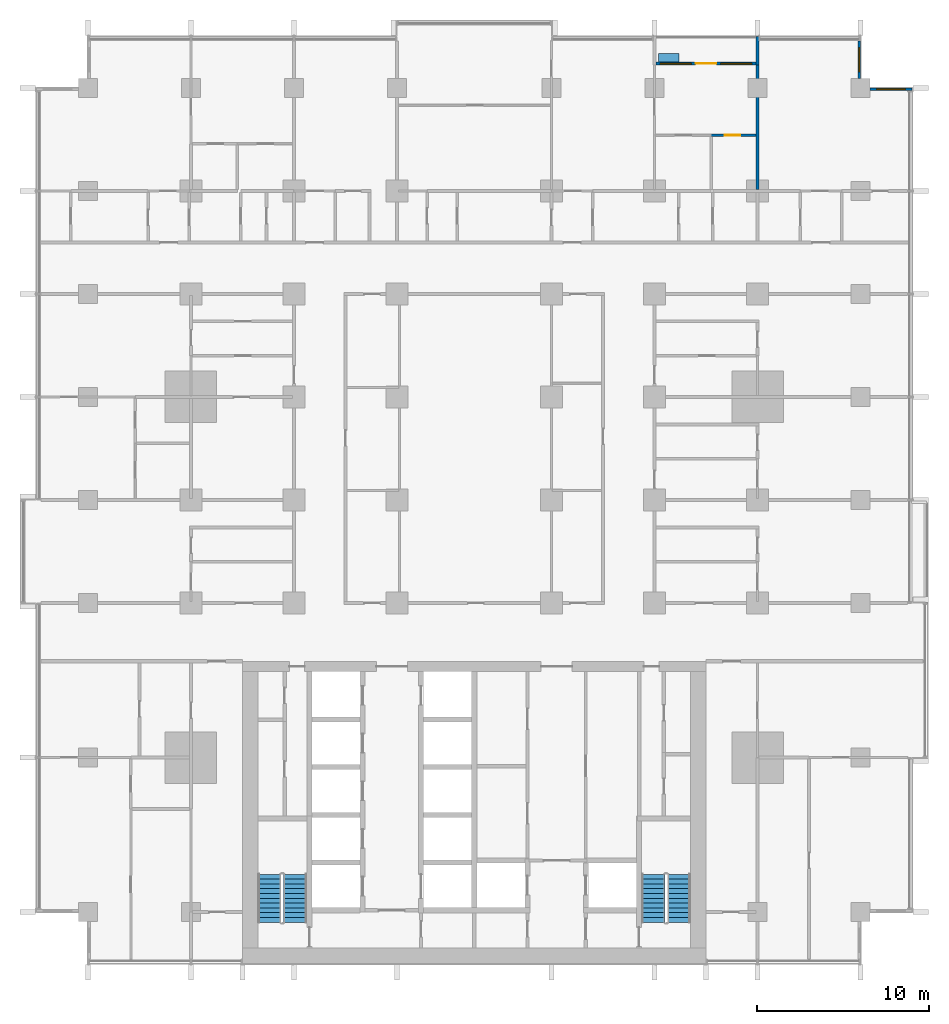
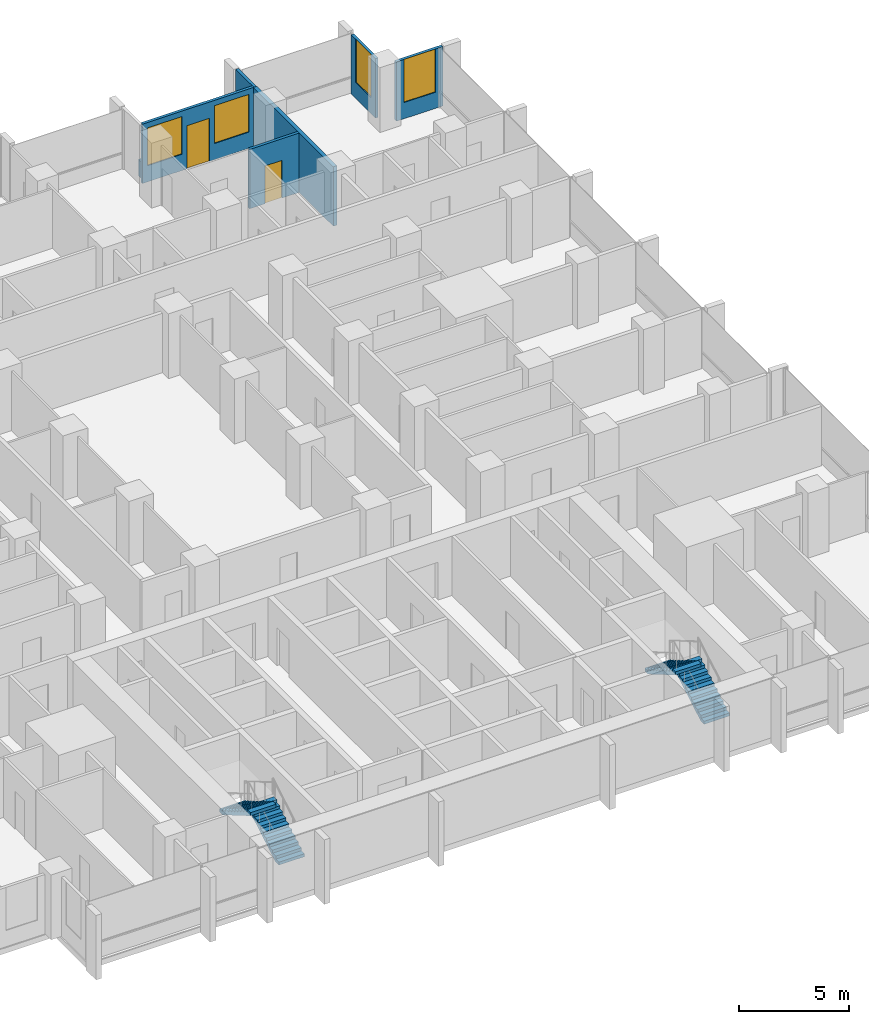
# One storey, part 13 of 18: 7 walls, 4 stair flights, 4 windows, 2 doors, 6 openings, 2 elements without a shape of their own.
"""IFC4 building model written with IfcOpenShell, lengths in metres."""

from ifc_helpers import new_model, si_unit, direction, frame, frame_2d, origin, place, context, subcontext, project, spatial, polyline, rectangle, outline, extrude, material, layer, layer_set, type_object, element, fill, aggregate, save


model = new_model("IFC4")

# Units and contexts
model_context = context("Model", 3, precision=1e-05, world=origin(), true_north=direction((0.0, 1.0)))
body_context = subcontext(model_context, "Body", "Model", "MODEL_VIEW")
ifc_project = project(units=[si_unit("LENGTHUNIT", "METRE"), si_unit("AREAUNIT", "SQUARE_METRE"), si_unit("VOLUMEUNIT", "CUBIC_METRE"), si_unit("PLANEANGLEUNIT", "RADIAN"), si_unit("MASSUNIT", "GRAM", prefix="KILO")], contexts=[model_context])

# Site, building, storey
site_placement = place(None, origin())
site = spatial("IfcSite", under=ifc_project, at=site_placement, CompositionType="ELEMENT")
building_placement = place(site_placement, origin())
building = spatial("IfcBuilding", under=site, at=building_placement, Name="Finial Court Residences", CompositionType="ELEMENT")
storey_placement = place(building_placement, frame((0.0, 0.0, 46.89990234375)))
storey = spatial("IfcBuildingStorey", under=building, at=storey_placement, Name="L10", CompositionType="ELEMENT", Elevation=46.89990234375)

# Wall
ifc_material_1 = material(Name="Gypsum board")
ifc_layer_1 = layer(ifc_material_1, 0.02490234375)
ifc_material_2 = material(Name="Acoustic mineral wool in double frame")
ifc_layer_2 = layer(ifc_material_2, 0.14990234375)
ifc_layer_3 = layer(ifc_material_1, 0.02490234375)
ifc_layer_set_1 = layer_set([ifc_layer_1, ifc_layer_2, ifc_layer_3], Name="Acoustic party wall 200, 1 hour")
wall_type_1 = type_object("IfcWallType", Name="Acoustic party wall 200, 1 hour", PredefinedType="PARTITIONING", material=ifc_layer_set_1)
wall_1_placement = place(storey_placement, frame((16.5, 19.574951171875, 0.0), z_axis=(0.0, 0.0, 1.0), x_axis=(0.0, 1.0, 0.0)))
element("IfcWall", 1, at=wall_1_placement, inside=storey, type_object=wall_type_1, Name="Partition L10-101", PredefinedType="PARTITIONING", context=body_context, shape_type="SweptSolid", body=[
    extrude(rectangle(XDim=7.275146484375, YDim=0.199951171875, at=frame_2d((3.6376953125, 0.0))), origin(), (0.0, 0.0, 1.0), 3.300048828125),
])

# Wall, opening, door
ifc_material_3 = material(Name="Moisture-resistant gypsum board")
ifc_layer_4 = layer(ifc_material_3, 0.012451171875)
ifc_material_4 = material(Name="Mineral wool in light-gauge frame")
ifc_layer_5 = layer(ifc_material_4, 0.125)
ifc_layer_6 = layer(ifc_material_3, 0.012451171875)
ifc_layer_set_2 = layer_set([ifc_layer_4, ifc_layer_5, ifc_layer_6], Name="Gypsum board wet-area partition 150")
wall_type_2 = type_object("IfcWallType", Name="Gypsum board wet-area partition 150", PredefinedType="PARTITIONING", material=ifc_layer_set_2)
wall_2_placement = place(storey_placement, frame((13.800048828125, 22.75, 0.0), z_axis=(0.0, 0.0, 1.0), x_axis=(1.0, 0.0, 0.0)))
wall_2 = element("IfcWall", 2, at=wall_2_placement, inside=storey, type_object=wall_type_2, Name="Partition L10-053", PredefinedType="PARTITIONING", context=body_context, shape_type="SweptSolid", body=[
    extrude(rectangle(XDim=2.599853515625, YDim=0.14990234375, at=frame_2d((1.2998046875, 0.0))), origin(), (0.0, 0.0, 1.0), 3.300048828125),
])
opening_1_placement = place(wall_2_placement, frame((0.800048828125, 0.0, 0.0)))
opening_1 = element("IfcOpeningElement", 3, at=opening_1_placement, cuts=wall_2, Name="Opening L10-D032", PredefinedType="OPENING", context=body_context, shape_type="SweptSolid", body=[
    extrude(rectangle(XDim=0.89990234375, YDim=2.10009765625, at=frame_2d((0.449951171875, 1.050048828125))), frame((0.0, 0.0849609375, 0.0), z_axis=(0.0, -1.0, 0.0), x_axis=(1.0, 0.0, 0.0)), (0.0, 0.0, 1.0), 0.169921875),
])
ifc_material_5 = material(Name="Timber door leaf in timber frame", Category="wood")
door_type_1 = type_object("IfcDoorType", Name="Door set 900 x 2100", OperationType="SINGLE_SWING_LEFT", PredefinedType="DOOR", material=ifc_material_5)
door_1_placement = place(opening_1_placement, origin())
door_1 = element("IfcDoor", 4, at=door_1_placement, inside=storey, type_object=door_type_1, Name="Door L10-D032", OperationType="SINGLE_SWING_RIGHT", OverallHeight=2.10009765625, OverallWidth=0.89990234375, PredefinedType="DOOR", context=body_context, shape_type="SweptSolid", body=[
    extrude(rectangle(XDim=0.89990234375, YDim=2.10009765625, at=frame_2d((0.449951171875, 1.050048828125))), frame((0.0, 0.02490234375, 0.0), z_axis=(0.0, -1.0, 0.0), x_axis=(1.0, 0.0, 0.0)), (0.0, 0.0, 1.0), 0.050048828125),
])
fill(opening_1, door_1)

# Wall, opening, window
ifc_material_6 = material(Name="Natural limestone", Category="masonry")
ifc_layer_7 = layer(ifc_material_6, 0.14990234375)
ifc_layer_set_3 = layer_set([ifc_layer_7], Name="Limestone clad wall 150")
wall_type_3 = type_object("IfcWallType", Name="Limestone clad wall 150", PredefinedType="SOLIDWALL", material=ifc_layer_set_3)
wall_3_placement = place(storey_placement, frame((22.425048828125, 28.25, 0.0), z_axis=(0.0, 0.0, 1.0), x_axis=(0.0, -1.0, 0.0)))
wall_3 = element("IfcWall", 5, at=wall_3_placement, inside=storey, type_object=wall_type_3, Name="E-L10-NWE19", PredefinedType="SOLIDWALL", context=body_context, shape_type="SweptSolid", body=[
    extrude(rectangle(XDim=2.199951171875, YDim=0.14990234375, at=frame_2d((1.10009765625, 0.0))), origin(), (0.0, 0.0, 1.0), 3.300048828125),
])
opening_2_placement = place(wall_3_placement, frame((0.39990234375, 0.0, 0.89990234375)))
opening_2 = element("IfcOpeningElement", 6, at=opening_2_placement, cuts=wall_3, Name="Opening WE10-07", PredefinedType="OPENING", context=body_context, shape_type="SweptSolid", body=[
    extrude(rectangle(XDim=1.39990234375, YDim=2.39990234375, at=frame_2d((0.699951171875, 1.199951171875))), frame((0.0, 0.0849609375, 0.0), z_axis=(0.0, -1.0, 0.0), x_axis=(1.0, 0.0, 0.0)), (0.0, 0.0, 1.0), 0.169921875),
])
ifc_material_7 = material(Name="Clear low-e glass", Category="glass")
window_type_1 = type_object("IfcWindowType", Name="Corner window 1400 x 2400", PartitioningType="SINGLE_PANEL", PredefinedType="WINDOW", material=ifc_material_7)
window_1_placement = place(opening_2_placement, origin())
window_1 = element("IfcWindow", 7, at=window_1_placement, inside=storey, type_object=window_type_1, Name="E-L10-NWE19-W1", OverallHeight=2.39990234375, OverallWidth=1.39990234375, PartitioningType="SINGLE_PANEL", PredefinedType="WINDOW", context=body_context, shape_type="SweptSolid", body=[
    extrude(rectangle(XDim=1.39990234375, YDim=2.39990234375, at=frame_2d((0.699951171875, 1.199951171875))), frame((0.0, 0.030029296875, 0.0), z_axis=(0.0, -1.0, 0.0), x_axis=(1.0, 0.0, 0.0)), (0.0, 0.0, 1.0), 0.06005859375),
])
fill(opening_2, window_1)

wall_4_placement = place(storey_placement, frame((23.050048828125, 25.425048828125, 0.0), z_axis=(0.0, 0.0, 1.0), x_axis=(1.0, 0.0, 0.0)))
wall_4 = element("IfcWall", 8, at=wall_4_placement, inside=storey, type_object=wall_type_3, Name="E-L10-NWN20", PredefinedType="SOLIDWALL", context=body_context, shape_type="SweptSolid", body=[
    extrude(rectangle(XDim=2.449951171875, YDim=0.14990234375, at=frame_2d((1.22509765625, 0.0))), origin(), (0.0, 0.0, 1.0), 3.300048828125),
])
opening_3_placement = place(wall_4_placement, frame((0.39990234375, 0.0, 0.89990234375)))
opening_3 = element("IfcOpeningElement", 9, at=opening_3_placement, cuts=wall_4, Name="Opening WE10-08", PredefinedType="OPENING", context=body_context, shape_type="SweptSolid", body=[
    extrude(rectangle(XDim=1.64990234375, YDim=2.39990234375, at=frame_2d((0.824951171875, 1.199951171875))), frame((0.0, 0.0849609375, 0.0), z_axis=(0.0, -1.0, 0.0), x_axis=(1.0, 0.0, 0.0)), (0.0, 0.0, 1.0), 0.169921875),
])
window_type_2 = type_object("IfcWindowType", Name="Corner window 1650 x 2400", PartitioningType="SINGLE_PANEL", PredefinedType="WINDOW", material=ifc_material_7)
window_2_placement = place(opening_3_placement, origin())
window_2 = element("IfcWindow", 10, at=window_2_placement, inside=storey, type_object=window_type_2, Name="E-L10-NWN20-W1", OverallHeight=2.39990234375, OverallWidth=1.64990234375, PartitioningType="SINGLE_PANEL", PredefinedType="WINDOW", context=body_context, shape_type="SweptSolid", body=[
    extrude(rectangle(XDim=1.64990234375, YDim=2.39990234375, at=frame_2d((0.824951171875, 1.199951171875))), frame((0.0, 0.030029296875, 0.0), z_axis=(0.0, -1.0, 0.0), x_axis=(1.0, 0.0, 0.0)), (0.0, 0.0, 1.0), 0.06005859375),
])
fill(opening_3, window_2)

# Wall
wall_5_placement = place(storey_placement, frame((16.5, 26.85009765625, 0.0), z_axis=(0.0, 0.0, 1.0), x_axis=(0.0, 1.0, 0.0)))
element("IfcWall", 11, at=wall_5_placement, inside=storey, type_object=wall_type_3, Name="E-L10-BALN6-P2", PredefinedType="SOLIDWALL", context=body_context, shape_type="SweptSolid", body=[
    extrude(rectangle(XDim=1.64990234375, YDim=0.14990234375, at=frame_2d((0.824951171875, 0.0))), origin(), (0.0, 0.0, 1.0), 3.300048828125),
])

# Wall, openings, door, windows
wall_6_placement = place(storey_placement, frame((10.574951171875, 26.925048828125, 0.0), z_axis=(0.0, 0.0, 1.0), x_axis=(1.0, 0.0, 0.0)))
wall_6 = element("IfcWall", 12, at=wall_6_placement, inside=storey, type_object=wall_type_3, Name="E-L10-L10-BALN6-W", PredefinedType="SOLIDWALL", context=body_context, shape_type="SweptSolid", body=[
    extrude(rectangle(XDim=5.85009765625, YDim=0.14990234375, at=frame_2d((2.925048828125, 0.0))), origin(), (0.0, 0.0, 1.0), 3.300048828125),
])
opening_4_placement = place(wall_6_placement, frame((2.324951171875, 0.0, 0.0)))
opening_4 = element("IfcOpeningElement", 13, at=opening_4_placement, cuts=wall_6, Name="Opening DE10-01", PredefinedType="OPENING", context=body_context, shape_type="SweptSolid", body=[
    extrude(rectangle(XDim=1.199951171875, YDim=2.39990234375, at=frame_2d((0.60009765625, 1.199951171875))), frame((0.0, 0.0849609375, 0.0), z_axis=(0.0, -1.0, 0.0), x_axis=(1.0, 0.0, 0.0)), (0.0, 0.0, 1.0), 0.169921875),
])
opening_5_placement = place(wall_6_placement, frame((0.262451171875, 0.0, 0.89990234375)))
opening_5 = element("IfcOpeningElement", 14, at=opening_5_placement, cuts=wall_6, Name="Opening WE10-09", PredefinedType="OPENING", context=body_context, shape_type="SweptSolid", body=[
    extrude(rectangle(XDim=1.800048828125, YDim=2.10009765625, at=frame_2d((0.89990234375, 1.050048828125))), frame((0.0, 0.0849609375, 0.0), z_axis=(0.0, -1.0, 0.0), x_axis=(1.0, 0.0, 0.0)), (0.0, 0.0, 1.0), 0.169921875),
])
opening_6_placement = place(wall_6_placement, frame((3.78759765625, 0.0, 0.89990234375)))
opening_6 = element("IfcOpeningElement", 15, at=opening_6_placement, cuts=wall_6, Name="Opening WE10-10", PredefinedType="OPENING", context=body_context, shape_type="SweptSolid", body=[
    extrude(rectangle(XDim=1.800048828125, YDim=2.10009765625, at=frame_2d((0.89990234375, 1.050048828125))), frame((0.0, 0.0849609375, 0.0), z_axis=(0.0, -1.0, 0.0), x_axis=(1.0, 0.0, 0.0)), (0.0, 0.0, 1.0), 0.169921875),
])
ifc_material_8 = material(Name="Bronze anodised aluminium", Category="aluminium")
door_type_2 = type_object("IfcDoorType", Name="Balcony door 1200 x 2400", OperationType="SINGLE_SWING_LEFT", PredefinedType="DOOR", material=ifc_material_8)
door_2_placement = place(opening_4_placement, origin())
door_2 = element("IfcDoor", 16, at=door_2_placement, inside=storey, type_object=door_type_2, Name="E-L10-L10-BALN6-W-D", OperationType="SINGLE_SWING_RIGHT", OverallHeight=2.39990234375, OverallWidth=1.199951171875, PredefinedType="DOOR", context=body_context, shape_type="SweptSolid", body=[
    extrude(rectangle(XDim=1.199951171875, YDim=2.39990234375, at=frame_2d((0.60009765625, 1.199951171875))), frame((0.0, 0.02490234375, 0.0), z_axis=(0.0, -1.0, 0.0), x_axis=(1.0, 0.0, 0.0)), (0.0, 0.0, 1.0), 0.050048828125),
])
fill(opening_4, door_2)
window_type_3 = type_object("IfcWindowType", Name="Balcony window 1800 x 2100", PartitioningType="SINGLE_PANEL", PredefinedType="WINDOW", material=ifc_material_7)
window_3_placement = place(opening_5_placement, origin())
window_3 = element("IfcWindow", 17, at=window_3_placement, inside=storey, type_object=window_type_3, Name="E-L10-L10-BALN6-W-W1", OverallHeight=2.10009765625, OverallWidth=1.800048828125, PartitioningType="SINGLE_PANEL", PredefinedType="WINDOW", context=body_context, shape_type="SweptSolid", body=[
    extrude(rectangle(XDim=1.800048828125, YDim=2.10009765625, at=frame_2d((0.89990234375, 1.050048828125))), frame((0.0, 0.030029296875, 0.0), z_axis=(0.0, -1.0, 0.0), x_axis=(1.0, 0.0, 0.0)), (0.0, 0.0, 1.0), 0.06005859375),
])
fill(opening_5, window_3)
window_4_placement = place(opening_6_placement, origin())
window_4 = element("IfcWindow", 18, at=window_4_placement, inside=storey, type_object=window_type_3, Name="E-L10-L10-BALN6-W-W2", OverallHeight=2.10009765625, OverallWidth=1.800048828125, PartitioningType="SINGLE_PANEL", PredefinedType="WINDOW", context=body_context, shape_type="SweptSolid", body=[
    extrude(rectangle(XDim=1.800048828125, YDim=2.10009765625, at=frame_2d((0.89990234375, 1.050048828125))), frame((0.0, 0.030029296875, 0.0), z_axis=(0.0, -1.0, 0.0), x_axis=(1.0, 0.0, 0.0)), (0.0, 0.0, 1.0), 0.06005859375),
])
fill(opening_6, window_4)

# Wall
ifc_material_9 = material(Name="Concrete C40/50", Category="concrete")
ifc_layer_8 = layer(ifc_material_9, 0.10009765625)
ifc_material_10 = material(Name="Planting soil", Category="soil")
ifc_layer_9 = layer(ifc_material_10, 0.300048828125)
ifc_layer_10 = layer(ifc_material_9, 0.10009765625)
ifc_layer_set_4 = layer_set([ifc_layer_8, ifc_layer_9, ifc_layer_10], Name="Planter wall, balcony")
wall_type_4 = type_object("IfcWallType", Name="Planter wall, balcony", PredefinedType="USERDEFINED", material=ifc_layer_set_4)
wall_7_placement = place(storey_placement, frame((10.72509765625, 27.25, 0.0), z_axis=(0.0, 0.0, 1.0), x_axis=(1.0, 0.0, 0.0)))
element("IfcWall", 19, at=wall_7_placement, inside=storey, type_object=wall_type_4, Name="E-L10-BALN6-PL", ObjectType="PLANTER", PredefinedType="USERDEFINED", context=body_context, shape_type="SweptSolid", body=[
    extrude(rectangle(XDim=1.199951171875, YDim=0.5, at=frame_2d((0.60009765625, 0.0))), origin(), (0.0, 0.0, 1.0), 0.900146484375),
])

# Stair, stair flights
ifc_material_11 = material(Name="Concrete C50/60", Category="concrete")
stair_type = type_object("IfcStairType", Name="Exit stair 22 risers of 163.6 mm", PredefinedType="HALF_TURN_STAIR", material=ifc_material_11)
stair_1_placement = place(storey_placement, origin())
stair_1 = element("IfcStair", 20, at=stair_1_placement, inside=storey, type_object=stair_type, Name="L10 Exit stair ST-1", PredefinedType="HALF_TURN_STAIR")
stair_flight_type = type_object("IfcStairFlightType", Name="Exit stair flight", PredefinedType="STRAIGHT", material=ifc_material_11)
stair_flight_1_placement = place(storey_placement, frame((-10.425048828125, -23.10009765625, 0.0), z_axis=(0.0, 0.0, 1.0), x_axis=(0.0, 1.0, 0.0)))
stair_flight_1 = element("IfcStairFlight", 21, at=stair_flight_1_placement, type_object=stair_flight_type, Name="ST-1 flight 1", NumberOfRisers=11, NumberOfTreads=10, PredefinedType="STRAIGHT", RiserHeight=0.163636364, TreadLength=0.28, context=body_context, shape_type="SweptSolid", body=[
    extrude(outline(polyline([(0.0, 0.0), (0.0, 0.16357421875), (0.280029296875, 0.16357421875), (0.280029296875, 0.327392578125), (0.56005859375, 0.327392578125), (0.56005859375, 0.490966796875), (0.840087890625, 0.490966796875), (0.840087890625, 0.654541015625), (1.1201171875, 0.654541015625), (1.1201171875, 0.818115234375), (1.39990234375, 0.818115234375), (1.39990234375, 0.98193359375), (1.679931640625, 0.98193359375), (1.679931640625, 1.1455078125), (1.9599609375, 1.1455078125), (1.9599609375, 1.30908203125), (2.239990234375, 1.30908203125), (2.239990234375, 1.47265625), (2.52001953125, 1.47265625), (2.52001953125, 1.636474609375), (2.800048828125, 1.636474609375), (2.800048828125, 1.800048828125), (2.800048828125, 1.462646484375), (0.297119140625, 0.0), (0.0, 0.0)])), frame((0.0, 0.675048828125, 0.0), z_axis=(0.0, -1.0, 0.0), x_axis=(1.0, 0.0, 0.0)), (0.0, 0.0, 1.0), 1.35009765625),
])
stair_flight_2_placement = place(storey_placement, frame((-11.925048828125, -20.300048828125, 1.800048828125), z_axis=(0.0, 0.0, 1.0), x_axis=(0.0, -1.0, 0.0)))
stair_flight_2 = element("IfcStairFlight", 22, at=stair_flight_2_placement, type_object=stair_flight_type, Name="ST-1 flight 2", NumberOfRisers=11, NumberOfTreads=10, PredefinedType="STRAIGHT", RiserHeight=0.163636364, TreadLength=0.28, context=body_context, shape_type="SweptSolid", body=[
    extrude(outline(polyline([(0.0, 0.0), (0.0, 0.16357421875), (0.280029296875, 0.16357421875), (0.280029296875, 0.327392578125), (0.56005859375, 0.327392578125), (0.56005859375, 0.490966796875), (0.840087890625, 0.490966796875), (0.840087890625, 0.654541015625), (1.1201171875, 0.654541015625), (1.1201171875, 0.818115234375), (1.39990234375, 0.818115234375), (1.39990234375, 0.98193359375), (1.679931640625, 0.98193359375), (1.679931640625, 1.1455078125), (1.9599609375, 1.1455078125), (1.9599609375, 1.30908203125), (2.239990234375, 1.30908203125), (2.239990234375, 1.47265625), (2.52001953125, 1.47265625), (2.52001953125, 1.636474609375), (2.800048828125, 1.636474609375), (2.800048828125, 1.800048828125), (2.800048828125, 1.462646484375), (0.297119140625, 0.0), (0.0, 0.0)])), frame((0.0, 0.675048828125, 0.0), z_axis=(0.0, -1.0, 0.0), x_axis=(1.0, 0.0, 0.0)), (0.0, 0.0, 1.0), 1.35009765625),
])
aggregate(stair_1, [stair_flight_1, stair_flight_2])

stair_2_placement = place(storey_placement, origin())
stair_2 = element("IfcStair", 23, at=stair_2_placement, inside=storey, type_object=stair_type, Name="L10 Exit stair ST-2", PredefinedType="HALF_TURN_STAIR")
stair_flight_3_placement = place(storey_placement, frame((11.925048828125, -23.10009765625, 0.0), z_axis=(0.0, 0.0, 1.0), x_axis=(0.0, 1.0, 0.0)))
stair_flight_3 = element("IfcStairFlight", 24, at=stair_flight_3_placement, type_object=stair_flight_type, Name="ST-2 flight 1", NumberOfRisers=11, NumberOfTreads=10, PredefinedType="STRAIGHT", RiserHeight=0.163636364, TreadLength=0.28, context=body_context, shape_type="SweptSolid", body=[
    extrude(outline(polyline([(0.0, 0.0), (0.0, 0.16357421875), (0.280029296875, 0.16357421875), (0.280029296875, 0.327392578125), (0.56005859375, 0.327392578125), (0.56005859375, 0.490966796875), (0.840087890625, 0.490966796875), (0.840087890625, 0.654541015625), (1.1201171875, 0.654541015625), (1.1201171875, 0.818115234375), (1.39990234375, 0.818115234375), (1.39990234375, 0.98193359375), (1.679931640625, 0.98193359375), (1.679931640625, 1.1455078125), (1.9599609375, 1.1455078125), (1.9599609375, 1.30908203125), (2.239990234375, 1.30908203125), (2.239990234375, 1.47265625), (2.52001953125, 1.47265625), (2.52001953125, 1.636474609375), (2.800048828125, 1.636474609375), (2.800048828125, 1.800048828125), (2.800048828125, 1.462646484375), (0.297119140625, 0.0), (0.0, 0.0)])), frame((0.0, 0.675048828125, 0.0), z_axis=(0.0, -1.0, 0.0), x_axis=(1.0, 0.0, 0.0)), (0.0, 0.0, 1.0), 1.35009765625),
])
stair_flight_4_placement = place(storey_placement, frame((10.425048828125, -20.300048828125, 1.800048828125), z_axis=(0.0, 0.0, 1.0), x_axis=(0.0, -1.0, 0.0)))
stair_flight_4 = element("IfcStairFlight", 25, at=stair_flight_4_placement, type_object=stair_flight_type, Name="ST-2 flight 2", NumberOfRisers=11, NumberOfTreads=10, PredefinedType="STRAIGHT", RiserHeight=0.163636364, TreadLength=0.28, context=body_context, shape_type="SweptSolid", body=[
    extrude(outline(polyline([(0.0, 0.0), (0.0, 0.16357421875), (0.280029296875, 0.16357421875), (0.280029296875, 0.327392578125), (0.56005859375, 0.327392578125), (0.56005859375, 0.490966796875), (0.840087890625, 0.490966796875), (0.840087890625, 0.654541015625), (1.1201171875, 0.654541015625), (1.1201171875, 0.818115234375), (1.39990234375, 0.818115234375), (1.39990234375, 0.98193359375), (1.679931640625, 0.98193359375), (1.679931640625, 1.1455078125), (1.9599609375, 1.1455078125), (1.9599609375, 1.30908203125), (2.239990234375, 1.30908203125), (2.239990234375, 1.47265625), (2.52001953125, 1.47265625), (2.52001953125, 1.636474609375), (2.800048828125, 1.636474609375), (2.800048828125, 1.800048828125), (2.800048828125, 1.462646484375), (0.297119140625, 0.0), (0.0, 0.0)])), frame((0.0, 0.675048828125, 0.0), z_axis=(0.0, -1.0, 0.0), x_axis=(1.0, 0.0, 0.0)), (0.0, 0.0, 1.0), 1.35009765625),
])
aggregate(stair_2, [stair_flight_3, stair_flight_4])

save(model, "model.ifc")
